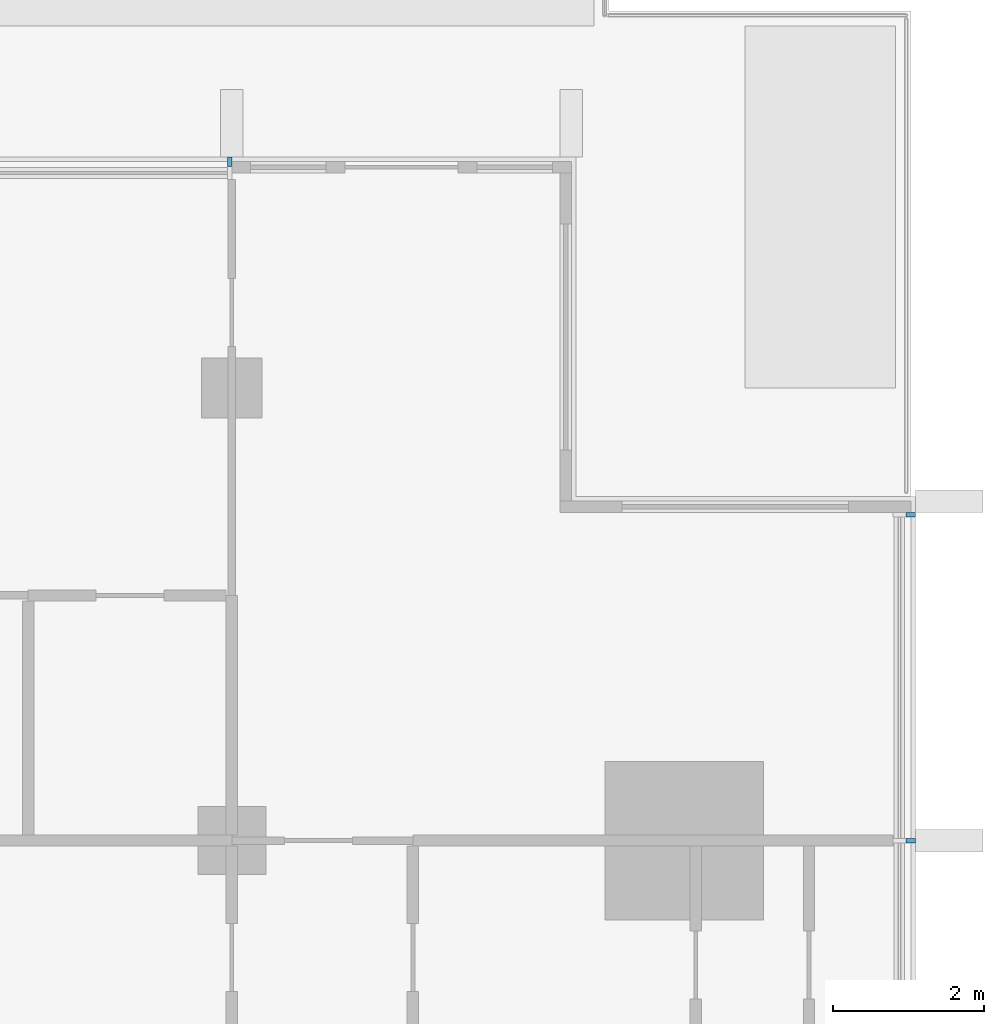
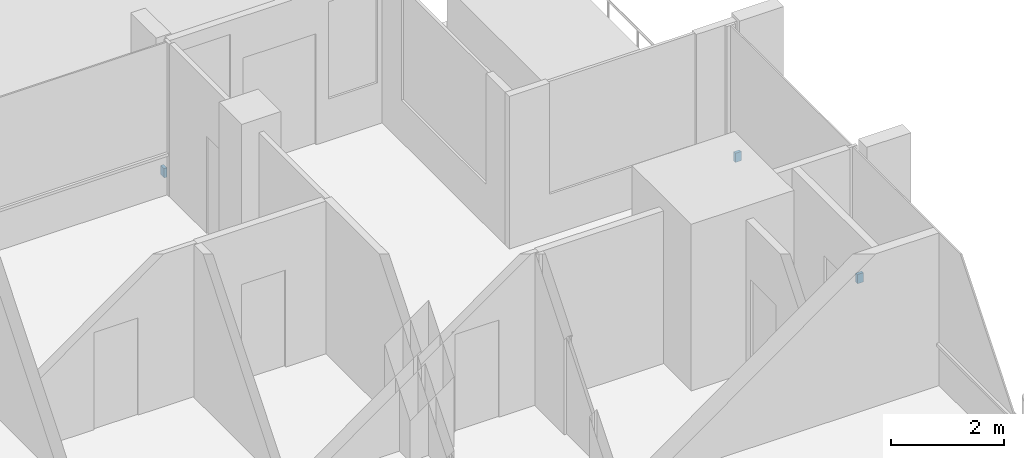
# One storey, part 15 of 17: 3 discrete accessories.
"""IFC4 building model written with IfcOpenShell, lengths in metres."""

from ifc_helpers import new_model, si_unit, direction, frame, origin, origin_2d, place, context, subcontext, project, spatial, rectangle, extrude, material, type_object, element, save


model = new_model("IFC4")

# Units and contexts
model_context = context("Model", 3, precision=1e-05, world=origin(), true_north=direction((0.0, 1.0)))
body_context = subcontext(model_context, "Body", "Model", "MODEL_VIEW")
ifc_project = project(units=[si_unit("LENGTHUNIT", "METRE"), si_unit("AREAUNIT", "SQUARE_METRE"), si_unit("VOLUMEUNIT", "CUBIC_METRE"), si_unit("PLANEANGLEUNIT", "RADIAN"), si_unit("MASSUNIT", "GRAM", prefix="KILO")], contexts=[model_context])

# Site, building, storey
site_placement = place(None, origin())
site = spatial("IfcSite", under=ifc_project, at=site_placement, CompositionType="ELEMENT")
building_placement = place(site_placement, origin())
building = spatial("IfcBuilding", under=site, at=building_placement, Name="Finial Court Residences", CompositionType="ELEMENT")
storey_placement = place(building_placement, frame((0.0, 0.0, 205.10009765625)))
storey = spatial("IfcBuildingStorey", under=building, at=storey_placement, Name="L51", CompositionType="ELEMENT", Elevation=205.10009765625)

# Discrete accessories
ifc_material = material(Name="Stainless steel 316", Category="steel")
discrete_accessory_type = type_object("IfcDiscreteAccessoryType", Name="Fin bracket, stainless steel 60 x 122 x 200", PredefinedType="BRACKET", material=ifc_material)
discrete_accessory_placement = place(storey_placement, frame((10.469970703125, 16.498779296875, 0.2998046875), z_axis=(0.0, 0.0, 1.0), x_axis=(1.0, 0.0, 0.0)))
element("IfcDiscreteAccessory", 1, at=discrete_accessory_placement, inside=storey, type_object=discrete_accessory_type, Name="E-L51-FIN-N5-BRK", PredefinedType="BRACKET", context=body_context, shape_type="SweptSolid", body=[
    extrude(rectangle(XDim=0.06005859375, YDim=0.12255859375, at=origin_2d()), origin(), (0.0, 0.0, 1.0), 0.199951171875),
])
for number, where, z_axis, x_axis, name in (
    (2, (19.498779296875, 7.5, 0.2998046875), (0.0, 0.0, 1.0), (1.0, 0.0, 0.0), "E-L51-FIN-E11-BRK"),
    (3, (19.498779296875, 11.820068359375, 0.2998046875), (0.0, 0.0, 1.0), (1.0, 0.0, 0.0), "E-L51-FIN-E12-BRK"),
):
    element("IfcDiscreteAccessory", number, at=place(storey_placement, frame(where, z_axis=z_axis, x_axis=x_axis)), inside=storey, type_object=discrete_accessory_type, Name=name, PredefinedType="BRACKET", context=body_context, shape_type="SweptSolid", body=[
        extrude(rectangle(XDim=0.12255859375, YDim=0.06005859375, at=origin_2d()), origin(), (0.0, 0.0, 1.0), 0.199951171875),
    ])

save(model, "model.ifc")
